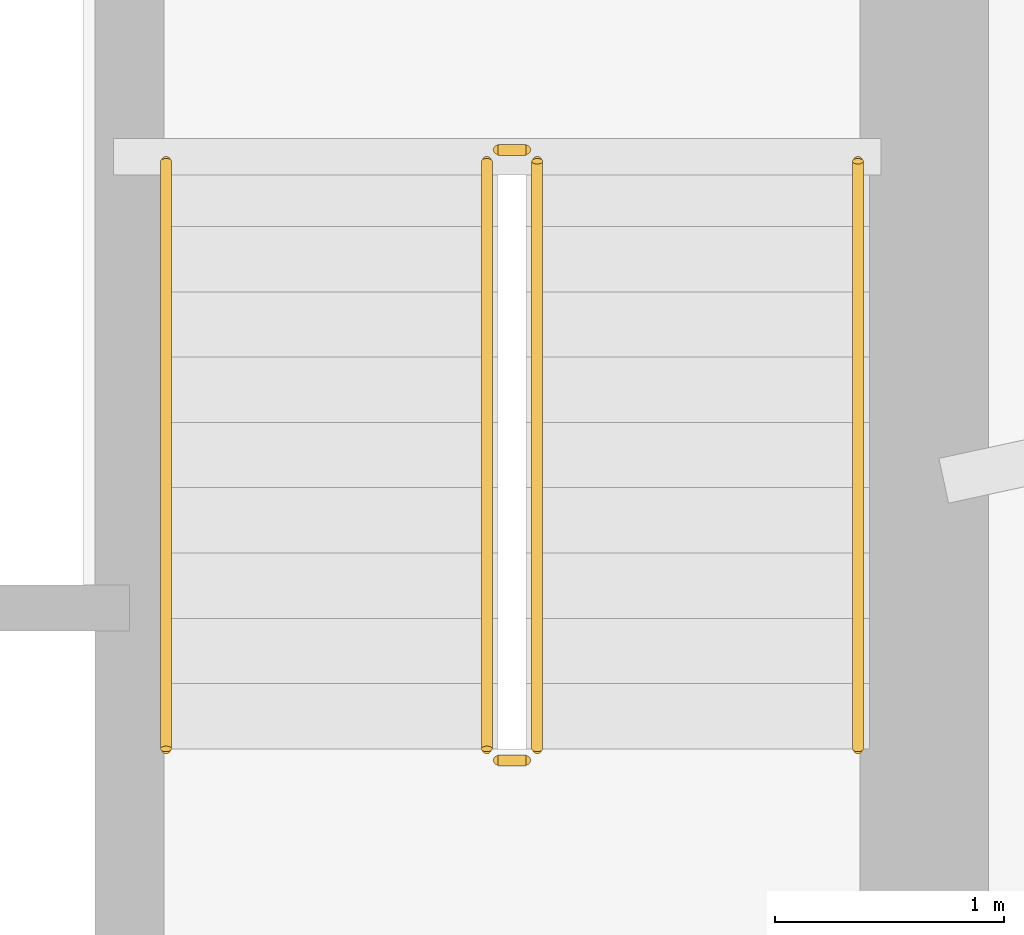
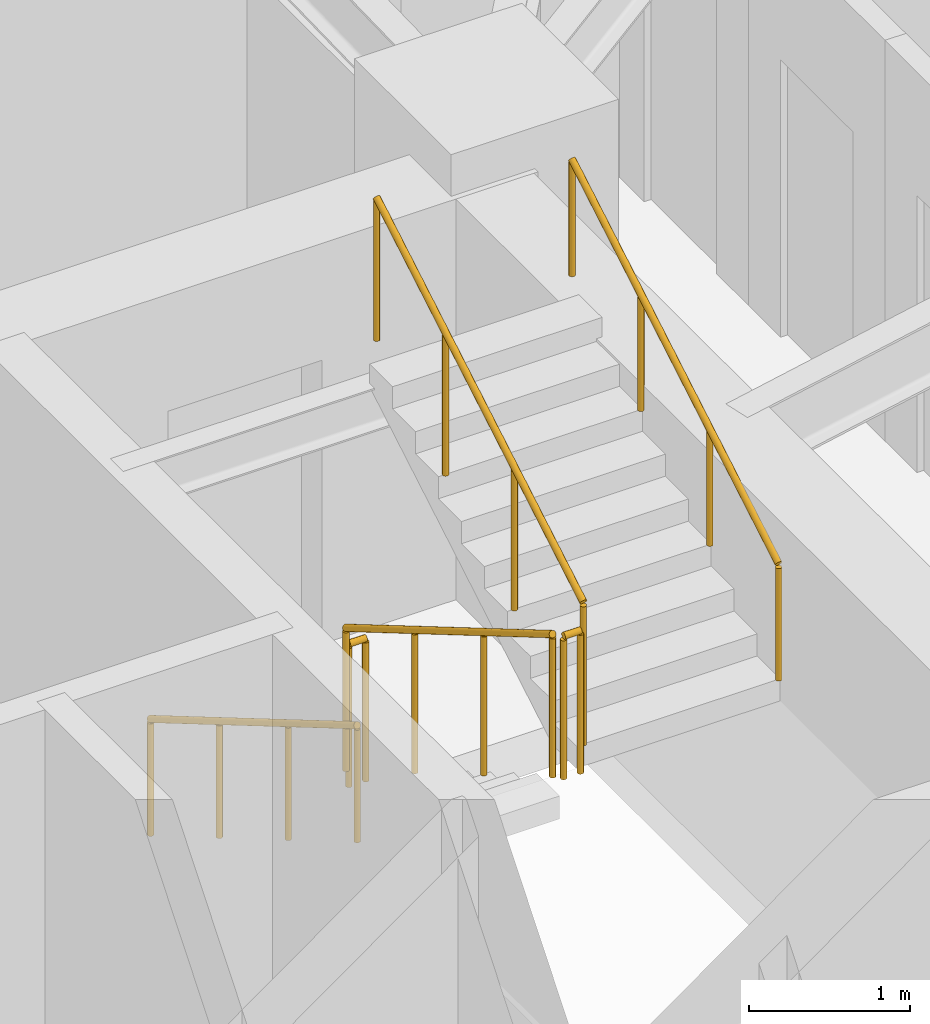
# One storey, part 21 of 21: 6 railings.
"""IFC4 building model written with IfcOpenShell, lengths in metres."""

from ifc_helpers import new_model, si_unit, direction, frame, origin, origin_2d, place, context, subcontext, project, spatial, circle, extrude, material, type_object, element, save


model = new_model("IFC4")

# Units and contexts
model_context = context("Model", 3, precision=1e-05, world=origin(), true_north=direction((0.0, 1.0)))
body_context = subcontext(model_context, "Body", "Model", "MODEL_VIEW")
ifc_project = project(units=[si_unit("LENGTHUNIT", "METRE"), si_unit("AREAUNIT", "SQUARE_METRE"), si_unit("VOLUMEUNIT", "CUBIC_METRE"), si_unit("PLANEANGLEUNIT", "RADIAN"), si_unit("MASSUNIT", "GRAM", prefix="KILO")], contexts=[model_context])

# Site, building, storey
site_placement = place(None, origin())
site = spatial("IfcSite", under=ifc_project, at=site_placement, CompositionType="ELEMENT")
building_placement = place(site_placement, origin())
building = spatial("IfcBuilding", under=site, at=building_placement, Name="Qobustan Lattice House", CompositionType="ELEMENT")
storey_placement = place(building_placement, frame((0.0, 0.0, 30.35009765625)))
storey = spatial("IfcBuildingStorey", under=building, at=storey_placement, Name="L07", CompositionType="ELEMENT", Elevation=30.35009765625)

# Railings
ifc_material_1 = material(Name="Brushed stainless steel handrail", Category="steel")
railing_type_1 = type_object("IfcRailingType", Name="RAL-HR-920", PredefinedType="HANDRAIL", material=ifc_material_1)
railing_1_placement = place(storey_placement, frame((15.179931640625, 3.5, 0.16748046875)))
element("IfcRailing", 1, at=railing_1_placement, inside=storey, type_object=railing_type_1, Name="L07 ST-E1 stair handrail 1", PredefinedType="HANDRAIL", context=body_context, shape_type="SweptSolid", body=[
    extrude(circle(Radius=0.02392578125, at=origin_2d()), frame((0.0, 0.0, 0.8759765625), z_axis=(0.0, -0.862149314443, 0.506654280161), x_axis=(1.0, 0.0, 0.0)), (0.0, 0.0, 1.0), 2.97509765625),
    extrude(circle(Radius=0.02099609375, at=origin_2d()), origin(), (0.0, 0.0, 1.0), 0.851806640625),
    extrude(circle(Radius=0.02099609375, at=origin_2d()), frame((0.0, -0.85498046875, 0.50244140625)), (0.0, 0.0, 1.0), 0.851806640625),
    extrude(circle(Radius=0.02099609375, at=origin_2d()), frame((0.0, -1.7099609375, 1.0048828125)), (0.0, 0.0, 1.0), 0.851806640625),
    extrude(circle(Radius=0.02099609375, at=origin_2d()), frame((0.0, -2.56494140625, 1.50732421875)), (0.0, 0.0, 1.0), 0.851806640625),
])
railing_2_placement = place(storey_placement, frame((18.199951171875, 0.93505859375, 1.84228515625)))
element("IfcRailing", 2, at=railing_2_placement, inside=storey, type_object=railing_type_1, Name="L07 ST-E1 stair handrail 2", PredefinedType="HANDRAIL", context=body_context, shape_type="SweptSolid", body=[
    extrude(circle(Radius=0.02392578125, at=origin_2d()), frame((0.0, 0.0, 0.8759765625), z_axis=(0.0, 0.862113467892, 0.50671527358), x_axis=(-1.0, 0.0, 0.0)), (0.0, 0.0, 1.0), 2.97509765625),
    extrude(circle(Radius=0.02099609375, at=origin_2d()), origin(), (0.0, 0.0, 1.0), 0.851806640625),
    extrude(circle(Radius=0.02099609375, at=origin_2d()), frame((0.0, 0.85498046875, 0.50244140625)), (0.0, 0.0, 1.0), 0.851806640625),
    extrude(circle(Radius=0.02099609375, at=origin_2d()), frame((0.0, 1.7099609375, 1.005126953125)), (0.0, 0.0, 1.0), 0.851806640625),
    extrude(circle(Radius=0.02099609375, at=origin_2d()), frame((0.0, 2.56494140625, 1.507568359375)), (0.0, 0.0, 1.0), 0.851806640625),
])
ifc_material_2 = material(Name="Painted galvanized steel guardrail", Category="steel")
railing_type_2 = type_object("IfcRailingType", Name="RAL-STG-1150", PredefinedType="GUARDRAIL", material=ifc_material_2)
railing_3_placement = place(storey_placement, frame((16.580078125, 3.5, 0.16748046875)))
element("IfcRailing", 3, at=railing_3_placement, inside=storey, type_object=railing_type_2, Name="L07 ST-E1 stair guard 1", PredefinedType="GUARDRAIL", context=body_context, shape_type="SweptSolid", body=[
    extrude(circle(Radius=0.02392578125, at=origin_2d()), frame((0.0, 0.0, 1.076171875), z_axis=(0.0, -0.862149314443, 0.506654280161), x_axis=(1.0, 0.0, 0.0)), (0.0, 0.0, 1.0), 2.97509765625),
    extrude(circle(Radius=0.02099609375, at=origin_2d()), origin(), (0.0, 0.0, 1.0), 1.052001953125),
    extrude(circle(Radius=0.02099609375, at=origin_2d()), frame((0.0, -0.85498046875, 0.50244140625)), (0.0, 0.0, 1.0), 1.052001953125),
    extrude(circle(Radius=0.02099609375, at=origin_2d()), frame((0.0, -1.7099609375, 1.0048828125)), (0.0, 0.0, 1.0), 1.052001953125),
    extrude(circle(Radius=0.02099609375, at=origin_2d()), frame((0.0, -2.56494140625, 1.50732421875)), (0.0, 0.0, 1.0), 1.052001953125),
])
railing_4_placement = place(storey_placement, frame((16.6298828125, 0.885009765625, 1.6748046875)))
element("IfcRailing", 4, at=railing_4_placement, inside=storey, type_object=railing_type_2, Name="L07 ST-E1 stair guard 2", PredefinedType="GUARDRAIL", context=body_context, shape_type="SweptSolid", body=[
    extrude(circle(Radius=0.02392578125, at=origin_2d()), frame((0.0, 0.0, 1.076171875), z_axis=(1.0, 0.0, 0.0), x_axis=(0.0, 1.0, 0.0)), (0.0, 0.0, 1.0), 0.1201171875),
    extrude(circle(Radius=0.02099609375, at=origin_2d()), origin(), (0.0, 0.0, 1.0), 1.052001953125),
    extrude(circle(Radius=0.02099609375, at=origin_2d()), frame((0.1201171875, 0.0, 0.0)), (0.0, 0.0, 1.0), 1.052001953125),
])
railing_5_placement = place(storey_placement, frame((16.800048828125, 0.93505859375, 1.84228515625)))
element("IfcRailing", 5, at=railing_5_placement, inside=storey, type_object=railing_type_2, Name="L07 ST-E1 stair guard 3", PredefinedType="GUARDRAIL", context=body_context, shape_type="SweptSolid", body=[
    extrude(circle(Radius=0.02392578125, at=origin_2d()), frame((0.0, 0.0, 1.076171875), z_axis=(0.0, 0.862113467892, 0.50671527358), x_axis=(-1.0, 0.0, 0.0)), (0.0, 0.0, 1.0), 2.97509765625),
    extrude(circle(Radius=0.02099609375, at=origin_2d()), origin(), (0.0, 0.0, 1.0), 1.052001953125),
    extrude(circle(Radius=0.02099609375, at=origin_2d()), frame((0.0, 0.85498046875, 0.50244140625)), (0.0, 0.0, 1.0), 1.052001953125),
    extrude(circle(Radius=0.02099609375, at=origin_2d()), frame((0.0, 1.7099609375, 1.005126953125)), (0.0, 0.0, 1.0), 1.052001953125),
    extrude(circle(Radius=0.02099609375, at=origin_2d()), frame((0.0, 2.56494140625, 1.507568359375)), (0.0, 0.0, 1.0), 1.052001953125),
])
railing_6_placement = place(storey_placement, frame((16.6298828125, 3.550048828125, 0.0)))
element("IfcRailing", 6, at=railing_6_placement, inside=storey, type_object=railing_type_2, Name="L07 ST-E1 stair guard 4", PredefinedType="GUARDRAIL", context=body_context, shape_type="SweptSolid", body=[
    extrude(circle(Radius=0.02392578125, at=origin_2d()), frame((0.0, 0.0, 1.076171875), z_axis=(1.0, 0.0, 0.0), x_axis=(0.0, 1.0, 0.0)), (0.0, 0.0, 1.0), 0.1201171875),
    extrude(circle(Radius=0.02099609375, at=origin_2d()), origin(), (0.0, 0.0, 1.0), 1.052001953125),
    extrude(circle(Radius=0.02099609375, at=origin_2d()), frame((0.1201171875, 0.0, 0.0)), (0.0, 0.0, 1.0), 1.052001953125),
])

save(model, "model.ifc")
